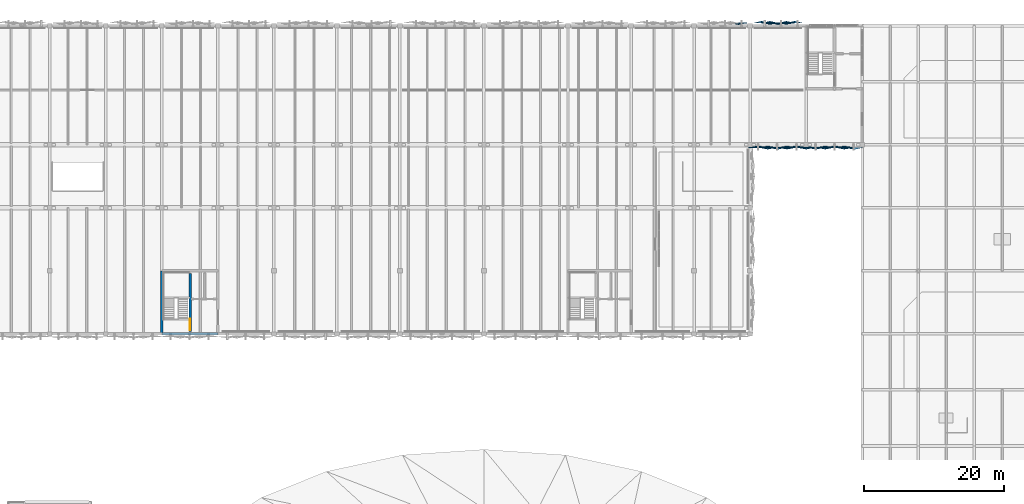
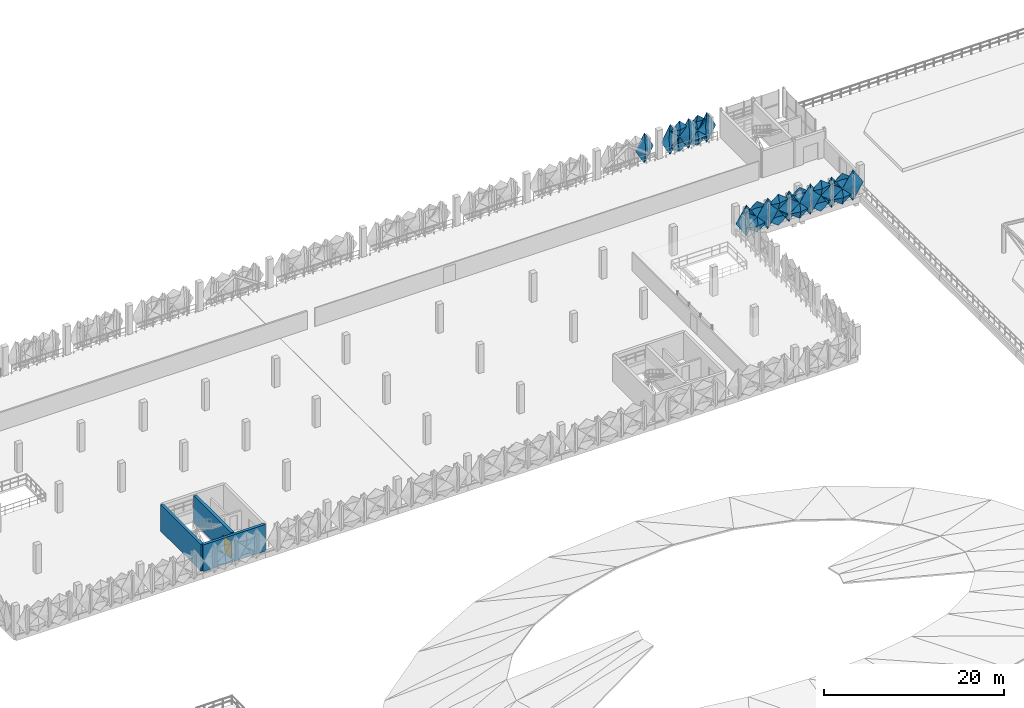
# One storey, part 27 of 52: 24 plates, 3 walls, 1 door, 1 opening.
"""IFC4 building model written with IfcOpenShell, lengths in metres."""

from ifc_helpers import new_model, si_unit, derived_unit, direction, frame, frame_2d, origin, place, context, subcontext, project, spatial, rectangle, extrude, polygons, material, layer, layer_set, type_object, element, fill, save


model = new_model("IFC4")

# Units and contexts
model_context = context("Model", 3, precision=1e-05, world=origin(), true_north=direction((0.0, 1.0)))
body_context = subcontext(model_context, "Body", "Model", "MODEL_VIEW")
ifc_project = project(units=[si_unit("LENGTHUNIT", "METRE"), si_unit("AREAUNIT", "SQUARE_METRE"), si_unit("VOLUMEUNIT", "CUBIC_METRE"), si_unit("PLANEANGLEUNIT", "RADIAN"), si_unit("MASSUNIT", "GRAM", prefix="KILO"), si_unit("THERMODYNAMICTEMPERATUREUNIT", "KELVIN"), derived_unit("THERMALTRANSMITTANCEUNIT", [(si_unit("POWERUNIT", "WATT"), 1), (si_unit("AREAUNIT", "SQUARE_METRE"), -1), (si_unit("THERMODYNAMICTEMPERATUREUNIT", "KELVIN"), -1)])], contexts=[model_context])

# Site, building, storey
site_placement = place(None, origin())
site = spatial("IfcSite", under=ifc_project, at=site_placement, CompositionType="ELEMENT")
building_placement = place(site_placement, origin())
building = spatial("IfcBuilding", under=site, at=building_placement, Name="Haiyu Intermodal Mobility Hub", CompositionType="ELEMENT")
storey_placement = place(building_placement, frame((0.0, 0.0, 21.199951171875)))
storey = spatial("IfcBuildingStorey", under=building, at=storey_placement, Name="L05", CompositionType="ELEMENT", Elevation=21.199951171875)

# Plates
ifc_material_1 = material(Name="Anodised aluminium 6063-T6", Category="aluminium")
ifc_layer_1 = layer(ifc_material_1, 0.01806640625)
ifc_layer_set_1 = layer_set([ifc_layer_1], Name="Anodised aluminium 6063-T6")
plate_type_1 = type_object("IfcPlateType", Name="PLT-FC01", PredefinedType="USERDEFINED", material=ifc_layer_set_1)
plate_1_placement = place(storey_placement, origin())
element("IfcPlate", 1, at=plate_1_placement, inside=storey, type_object=plate_type_1, Name="PLT-PYR-2444", ObjectType="FACADE CASSETTE", PredefinedType="USERDEFINED", context=body_context, shape_type="Tessellation", body=[
    polygons([(155.366943359375, 130.60009765625, -0.510009765625), (156.712890625, 130.60009765625, 1.60009765625), (155.366943359375, 130.60009765625, 3.7099609375), (154.02001953125, 130.60009765625, 1.60009765625), (155.366943359375, 130.320068359375, 1.60009765625), (155.366943359375, 130.6220703125, -0.510009765625), (156.712890625, 130.6220703125, 1.60009765625), (155.366943359375, 130.6220703125, 3.7099609375), (154.02001953125, 130.6220703125, 1.60009765625), (155.366943359375, 130.342041015625, 1.60009765625)], [[[1, 2, 5]], [[2, 3, 5]], [[3, 4, 5]], [[4, 1, 5]], [[7, 6, 10]], [[8, 7, 10]], [[9, 8, 10]], [[6, 9, 10]], [[1, 6, 7, 2]], [[2, 7, 8, 3]], [[3, 8, 9, 4]], [[4, 9, 6, 1]]], closed=True),
])
ifc_layer_2 = layer(ifc_material_1, 0.01806640625)
ifc_layer_set_2 = layer_set([ifc_layer_2], Name="Anodised aluminium 6063-T6")
plate_type_2 = type_object("IfcPlateType", Name="PLT-FC03", PredefinedType="USERDEFINED", material=ifc_layer_set_2)
plate_2_placement = place(storey_placement, origin())
element("IfcPlate", 2, at=plate_2_placement, inside=storey, type_object=plate_type_2, Name="PLT-PYR-0514", ObjectType="FACADE CASSETTE", PredefinedType="USERDEFINED", context=body_context, shape_type="Tessellation", body=[
    polygons([(152.346923828125, 148.39990234375, -0.510009765625), (151.193115234375, 148.39990234375, 1.60009765625), (152.346923828125, 148.39990234375, 3.7099609375), (153.5, 148.39990234375, 1.60009765625), (152.346923828125, 148.679931640625, 1.60009765625), (152.346923828125, 148.3779296875, -0.510009765625), (151.193115234375, 148.3779296875, 1.60009765625), (152.346923828125, 148.3779296875, 3.7099609375), (153.5, 148.3779296875, 1.60009765625), (152.346923828125, 148.657958984375, 1.60009765625)], [[[1, 2, 5]], [[2, 3, 5]], [[3, 4, 5]], [[4, 1, 5]], [[7, 6, 10]], [[8, 7, 10]], [[9, 8, 10]], [[6, 9, 10]], [[1, 6, 7, 2]], [[2, 7, 8, 3]], [[3, 8, 9, 4]], [[4, 9, 6, 1]]], closed=True),
])
plate_3_placement = place(storey_placement, origin())
element("IfcPlate", 3, at=plate_3_placement, inside=storey, type_object=plate_type_2, Name="PLT-PYR-0518", ObjectType="FACADE CASSETTE", PredefinedType="USERDEFINED", context=body_context, shape_type="Tessellation", body=[
    polygons([(148.826904296875, 148.39990234375, -0.52001953125), (147.673095703125, 148.39990234375, 0.530029296875), (148.826904296875, 148.39990234375, 1.580078125), (149.97998046875, 148.39990234375, 0.530029296875), (148.826904296875, 148.659912109375, 0.530029296875), (148.826904296875, 148.3779296875, -0.52001953125), (147.673095703125, 148.3779296875, 0.530029296875), (148.826904296875, 148.3779296875, 1.580078125), (149.97998046875, 148.3779296875, 0.530029296875), (148.826904296875, 148.637939453125, 0.530029296875)], [[[1, 2, 5]], [[2, 3, 5]], [[3, 4, 5]], [[4, 1, 5]], [[7, 6, 10]], [[8, 7, 10]], [[9, 8, 10]], [[6, 9, 10]], [[1, 6, 7, 2]], [[2, 7, 8, 3]], [[3, 8, 9, 4]], [[4, 9, 6, 1]]], closed=True),
])
plate_4_placement = place(storey_placement, origin())
element("IfcPlate", 4, at=plate_4_placement, inside=storey, type_object=plate_type_2, Name="PLT-PYR-2436", ObjectType="FACADE CASSETTE", PredefinedType="USERDEFINED", context=body_context, shape_type="Tessellation", body=[
    polygons([(148.532958984375, 130.60009765625, -0.52001953125), (149.8798828125, 130.60009765625, 0.530029296875), (148.532958984375, 130.60009765625, 1.580078125), (147.18701171875, 130.60009765625, 0.530029296875), (148.532958984375, 130.340087890625, 0.530029296875), (148.532958984375, 130.6220703125, -0.52001953125), (149.8798828125, 130.6220703125, 0.530029296875), (148.532958984375, 130.6220703125, 1.580078125), (147.18701171875, 130.6220703125, 0.530029296875), (148.532958984375, 130.362060546875, 0.530029296875)], [[[1, 2, 5]], [[2, 3, 5]], [[3, 4, 5]], [[4, 1, 5]], [[7, 6, 10]], [[8, 7, 10]], [[9, 8, 10]], [[6, 9, 10]], [[1, 6, 7, 2]], [[2, 7, 8, 3]], [[3, 8, 9, 4]], [[4, 9, 6, 1]]], closed=True),
])
plate_5_placement = place(storey_placement, origin())
element("IfcPlate", 5, at=plate_5_placement, inside=storey, type_object=plate_type_2, Name="PLT-PYR-2442", ObjectType="FACADE CASSETTE", PredefinedType="USERDEFINED", context=body_context, shape_type="Tessellation", body=[
    polygons([(154.0, 130.60009765625, -0.52001953125), (155.346923828125, 130.60009765625, 0.530029296875), (154.0, 130.60009765625, 1.580078125), (152.653076171875, 130.60009765625, 0.530029296875), (154.0, 130.340087890625, 0.530029296875), (154.0, 130.6220703125, -0.52001953125), (155.346923828125, 130.6220703125, 0.530029296875), (154.0, 130.6220703125, 1.580078125), (152.653076171875, 130.6220703125, 0.530029296875), (154.0, 130.362060546875, 0.530029296875)], [[[1, 2, 5]], [[2, 3, 5]], [[3, 4, 5]], [[4, 1, 5]], [[7, 6, 10]], [[8, 7, 10]], [[9, 8, 10]], [[6, 9, 10]], [[1, 6, 7, 2]], [[2, 7, 8, 3]], [[3, 8, 9, 4]], [[4, 9, 6, 1]]], closed=True),
])
plate_6_placement = place(storey_placement, origin())
element("IfcPlate", 6, at=plate_6_placement, inside=storey, type_object=plate_type_2, Name="PLT-PYR-2448", ObjectType="FACADE CASSETTE", PredefinedType="USERDEFINED", context=body_context, shape_type="Tessellation", body=[
    polygons([(159.467041015625, 130.60009765625, -0.52001953125), (160.81298828125, 130.60009765625, 0.530029296875), (159.467041015625, 130.60009765625, 1.580078125), (158.1201171875, 130.60009765625, 0.530029296875), (159.467041015625, 130.340087890625, 0.530029296875), (159.467041015625, 130.6220703125, -0.52001953125), (160.81298828125, 130.6220703125, 0.530029296875), (159.467041015625, 130.6220703125, 1.580078125), (158.1201171875, 130.6220703125, 0.530029296875), (159.467041015625, 130.362060546875, 0.530029296875)], [[[1, 2, 5]], [[2, 3, 5]], [[3, 4, 5]], [[4, 1, 5]], [[7, 6, 10]], [[8, 7, 10]], [[9, 8, 10]], [[6, 9, 10]], [[1, 6, 7, 2]], [[2, 7, 8, 3]], [[3, 8, 9, 4]], [[4, 9, 6, 1]]], closed=True),
])
ifc_layer_3 = layer(ifc_material_1, 0.02001953125)
ifc_layer_set_3 = layer_set([ifc_layer_3], Name="Anodised aluminium 6063-T6")
plate_type_3 = type_object("IfcPlateType", Name="PLT-FC04", PredefinedType="USERDEFINED", material=ifc_layer_set_3)
plate_7_placement = place(storey_placement, origin())
element("IfcPlate", 7, at=plate_7_placement, inside=storey, type_object=plate_type_3, Name="PLT-PYR-0479", ObjectType="FACADE CASSETTE", PredefinedType="USERDEFINED", context=body_context, shape_type="Tessellation", body=[
    polygons([(144.346923828125, 148.39990234375, -0.510009765625), (143.193115234375, 148.39990234375, 1.60009765625), (144.346923828125, 148.39990234375, 3.7099609375), (145.5, 148.39990234375, 1.60009765625), (144.346923828125, 148.139892578125, 1.60009765625), (144.346923828125, 148.3779296875, -0.510009765625), (143.193115234375, 148.3779296875, 1.60009765625), (144.346923828125, 148.3779296875, 3.7099609375), (145.5, 148.3779296875, 1.60009765625), (144.346923828125, 148.117919921875, 1.60009765625)], [[[1, 2, 5]], [[2, 3, 5]], [[3, 4, 5]], [[4, 1, 5]], [[7, 6, 10]], [[8, 7, 10]], [[9, 8, 10]], [[6, 9, 10]], [[1, 6, 7, 2]], [[2, 7, 8, 3]], [[3, 8, 9, 4]], [[4, 9, 6, 1]]], closed=True),
])
plate_8_placement = place(storey_placement, origin())
element("IfcPlate", 8, at=plate_8_placement, inside=storey, type_object=plate_type_3, Name="PLT-PYR-0515", ObjectType="FACADE CASSETTE", PredefinedType="USERDEFINED", context=body_context, shape_type="Tessellation", body=[
    polygons([(151.173095703125, 148.39990234375, -0.52001953125), (150.02001953125, 148.39990234375, 0.530029296875), (151.173095703125, 148.39990234375, 1.580078125), (152.326904296875, 148.39990234375, 0.530029296875), (151.173095703125, 148.179931640625, 0.530029296875), (151.173095703125, 148.3779296875, -0.52001953125), (150.02001953125, 148.3779296875, 0.530029296875), (151.173095703125, 148.3779296875, 1.580078125), (152.326904296875, 148.3779296875, 0.530029296875), (151.173095703125, 148.157958984375, 0.530029296875)], [[[1, 2, 5]], [[2, 3, 5]], [[3, 4, 5]], [[4, 1, 5]], [[7, 6, 10]], [[8, 7, 10]], [[9, 8, 10]], [[6, 9, 10]], [[1, 6, 7, 2]], [[2, 7, 8, 3]], [[3, 8, 9, 4]], [[4, 9, 6, 1]]], closed=True),
])
plate_9_placement = place(storey_placement, origin())
element("IfcPlate", 9, at=plate_9_placement, inside=storey, type_object=plate_type_3, Name="PLT-PYR-2435", ObjectType="FACADE CASSETTE", PredefinedType="USERDEFINED", context=body_context, shape_type="Tessellation", body=[
    polygons([(147.1669921875, 130.60009765625, -0.510009765625), (148.512939453125, 130.60009765625, 1.60009765625), (147.1669921875, 130.60009765625, 3.7099609375), (145.820068359375, 130.60009765625, 1.60009765625), (147.1669921875, 130.860107421875, 1.60009765625), (147.1669921875, 130.6220703125, -0.510009765625), (148.512939453125, 130.6220703125, 1.60009765625), (147.1669921875, 130.6220703125, 3.7099609375), (145.820068359375, 130.6220703125, 1.60009765625), (147.1669921875, 130.882080078125, 1.60009765625)], [[[1, 2, 5]], [[2, 3, 5]], [[3, 4, 5]], [[4, 1, 5]], [[7, 6, 10]], [[8, 7, 10]], [[9, 8, 10]], [[6, 9, 10]], [[1, 6, 7, 2]], [[2, 7, 8, 3]], [[3, 8, 9, 4]], [[4, 9, 6, 1]]], closed=True),
])
plate_10_placement = place(storey_placement, origin())
element("IfcPlate", 10, at=plate_10_placement, inside=storey, type_object=plate_type_3, Name="PLT-PYR-2439", ObjectType="FACADE CASSETTE", PredefinedType="USERDEFINED", context=body_context, shape_type="Tessellation", body=[
    polygons([(151.26708984375, 130.60009765625, -0.52001953125), (152.613037109375, 130.60009765625, 0.530029296875), (151.26708984375, 130.60009765625, 1.580078125), (149.919921875, 130.60009765625, 0.530029296875), (151.26708984375, 130.820068359375, 0.530029296875), (151.26708984375, 130.6220703125, -0.52001953125), (152.613037109375, 130.6220703125, 0.530029296875), (151.26708984375, 130.6220703125, 1.580078125), (149.919921875, 130.6220703125, 0.530029296875), (151.26708984375, 130.842041015625, 0.530029296875)], [[[1, 2, 5]], [[2, 3, 5]], [[3, 4, 5]], [[4, 1, 5]], [[7, 6, 10]], [[8, 7, 10]], [[9, 8, 10]], [[6, 9, 10]], [[1, 6, 7, 2]], [[2, 7, 8, 3]], [[3, 8, 9, 4]], [[4, 9, 6, 1]]], closed=True),
])
plate_11_placement = place(storey_placement, origin())
element("IfcPlate", 11, at=plate_11_placement, inside=storey, type_object=plate_type_3, Name="PLT-PYR-2445", ObjectType="FACADE CASSETTE", PredefinedType="USERDEFINED", context=body_context, shape_type="Tessellation", body=[
    polygons([(156.73291015625, 130.60009765625, -0.52001953125), (158.080078125, 130.60009765625, 0.530029296875), (156.73291015625, 130.60009765625, 1.580078125), (155.386962890625, 130.60009765625, 0.530029296875), (156.73291015625, 130.820068359375, 0.530029296875), (156.73291015625, 130.6220703125, -0.52001953125), (158.080078125, 130.6220703125, 0.530029296875), (156.73291015625, 130.6220703125, 1.580078125), (155.386962890625, 130.6220703125, 0.530029296875), (156.73291015625, 130.842041015625, 0.530029296875)], [[[1, 2, 5]], [[2, 3, 5]], [[3, 4, 5]], [[4, 1, 5]], [[7, 6, 10]], [[8, 7, 10]], [[9, 8, 10]], [[6, 9, 10]], [[1, 6, 7, 2]], [[2, 7, 8, 3]], [[3, 8, 9, 4]], [[4, 9, 6, 1]]], closed=True),
])
plate_12_placement = place(storey_placement, origin())
element("IfcPlate", 12, at=plate_12_placement, inside=storey, type_object=plate_type_3, Name="PLT-PYR-2447", ObjectType="FACADE CASSETTE", PredefinedType="USERDEFINED", context=body_context, shape_type="Tessellation", body=[
    polygons([(158.10009765625, 130.60009765625, -0.510009765625), (159.447021484375, 130.60009765625, 1.60009765625), (158.10009765625, 130.60009765625, 3.7099609375), (156.7529296875, 130.60009765625, 1.60009765625), (158.10009765625, 130.860107421875, 1.60009765625), (158.10009765625, 130.6220703125, -0.510009765625), (159.447021484375, 130.6220703125, 1.60009765625), (158.10009765625, 130.6220703125, 3.7099609375), (156.7529296875, 130.6220703125, 1.60009765625), (158.10009765625, 130.882080078125, 1.60009765625)], [[[1, 2, 5]], [[2, 3, 5]], [[3, 4, 5]], [[4, 1, 5]], [[7, 6, 10]], [[8, 7, 10]], [[9, 8, 10]], [[6, 9, 10]], [[1, 6, 7, 2]], [[2, 7, 8, 3]], [[3, 8, 9, 4]], [[4, 9, 6, 1]]], closed=True),
])
ifc_layer_4 = layer(ifc_material_1, 0.01806640625)
ifc_layer_set_4 = layer_set([ifc_layer_4], Name="Anodised aluminium 6063-T6")
plate_type_4 = type_object("IfcPlateType", Name="PLT-FC05", PredefinedType="USERDEFINED", material=ifc_layer_set_4)
plate_13_placement = place(storey_placement, origin())
element("IfcPlate", 13, at=plate_13_placement, inside=storey, type_object=plate_type_4, Name="PLT-PYR-0516", ObjectType="FACADE CASSETTE", PredefinedType="USERDEFINED", context=body_context, shape_type="Tessellation", body=[
    polygons([(151.173095703125, 148.39990234375, 1.6201171875), (150.02001953125, 148.39990234375, 2.670166015625), (151.173095703125, 148.39990234375, 3.719970703125), (152.326904296875, 148.39990234375, 2.670166015625), (151.173095703125, 148.659912109375, 2.670166015625), (151.173095703125, 148.3779296875, 1.6201171875), (150.02001953125, 148.3779296875, 2.670166015625), (151.173095703125, 148.3779296875, 3.719970703125), (152.326904296875, 148.3779296875, 2.670166015625), (151.173095703125, 148.637939453125, 2.670166015625)], [[[1, 2, 5]], [[2, 3, 5]], [[3, 4, 5]], [[4, 1, 5]], [[7, 6, 10]], [[8, 7, 10]], [[9, 8, 10]], [[6, 9, 10]], [[1, 6, 7, 2]], [[2, 7, 8, 3]], [[3, 8, 9, 4]], [[4, 9, 6, 1]]], closed=True),
])
plate_14_placement = place(storey_placement, origin())
element("IfcPlate", 14, at=plate_14_placement, inside=storey, type_object=plate_type_4, Name="PLT-PYR-2438", ObjectType="FACADE CASSETTE", PredefinedType="USERDEFINED", context=body_context, shape_type="Tessellation", body=[
    polygons([(149.89990234375, 130.60009765625, -0.510009765625), (151.2470703125, 130.60009765625, 1.60009765625), (149.89990234375, 130.60009765625, 3.7099609375), (148.552978515625, 130.60009765625, 1.60009765625), (149.89990234375, 130.320068359375, 1.60009765625), (149.89990234375, 130.6220703125, -0.510009765625), (151.2470703125, 130.6220703125, 1.60009765625), (149.89990234375, 130.6220703125, 3.7099609375), (148.552978515625, 130.6220703125, 1.60009765625), (149.89990234375, 130.342041015625, 1.60009765625)], [[[1, 2, 5]], [[2, 3, 5]], [[3, 4, 5]], [[4, 1, 5]], [[7, 6, 10]], [[8, 7, 10]], [[9, 8, 10]], [[6, 9, 10]], [[1, 6, 7, 2]], [[2, 7, 8, 3]], [[3, 8, 9, 4]], [[4, 9, 6, 1]]], closed=True),
])
plate_15_placement = place(storey_placement, origin())
element("IfcPlate", 15, at=plate_15_placement, inside=storey, type_object=plate_type_4, Name="PLT-PYR-2440", ObjectType="FACADE CASSETTE", PredefinedType="USERDEFINED", context=body_context, shape_type="Tessellation", body=[
    polygons([(151.26708984375, 130.60009765625, 1.6201171875), (152.613037109375, 130.60009765625, 2.670166015625), (151.26708984375, 130.60009765625, 3.719970703125), (149.919921875, 130.60009765625, 2.670166015625), (151.26708984375, 130.340087890625, 2.670166015625), (151.26708984375, 130.6220703125, 1.6201171875), (152.613037109375, 130.6220703125, 2.670166015625), (151.26708984375, 130.6220703125, 3.719970703125), (149.919921875, 130.6220703125, 2.670166015625), (151.26708984375, 130.362060546875, 2.670166015625)], [[[1, 2, 5]], [[2, 3, 5]], [[3, 4, 5]], [[4, 1, 5]], [[7, 6, 10]], [[8, 7, 10]], [[9, 8, 10]], [[6, 9, 10]], [[1, 6, 7, 2]], [[2, 7, 8, 3]], [[3, 8, 9, 4]], [[4, 9, 6, 1]]], closed=True),
])
plate_16_placement = place(storey_placement, origin())
element("IfcPlate", 16, at=plate_16_placement, inside=storey, type_object=plate_type_4, Name="PLT-PYR-2446", ObjectType="FACADE CASSETTE", PredefinedType="USERDEFINED", context=body_context, shape_type="Tessellation", body=[
    polygons([(156.73291015625, 130.60009765625, 1.6201171875), (158.080078125, 130.60009765625, 2.670166015625), (156.73291015625, 130.60009765625, 3.719970703125), (155.386962890625, 130.60009765625, 2.670166015625), (156.73291015625, 130.340087890625, 2.670166015625), (156.73291015625, 130.6220703125, 1.6201171875), (158.080078125, 130.6220703125, 2.670166015625), (156.73291015625, 130.6220703125, 3.719970703125), (155.386962890625, 130.6220703125, 2.670166015625), (156.73291015625, 130.362060546875, 2.670166015625)], [[[1, 2, 5]], [[2, 3, 5]], [[3, 4, 5]], [[4, 1, 5]], [[7, 6, 10]], [[8, 7, 10]], [[9, 8, 10]], [[6, 9, 10]], [[1, 6, 7, 2]], [[2, 7, 8, 3]], [[3, 8, 9, 4]], [[4, 9, 6, 1]]], closed=True),
])
plate_17_placement = place(storey_placement, origin())
element("IfcPlate", 17, at=plate_17_placement, inside=storey, type_object=plate_type_4, Name="PLT-PYR-2450", ObjectType="FACADE CASSETTE", PredefinedType="USERDEFINED", context=body_context, shape_type="Tessellation", body=[
    polygons([(160.8330078125, 130.60009765625, -0.510009765625), (162.179931640625, 130.60009765625, 1.60009765625), (160.8330078125, 130.60009765625, 3.7099609375), (159.487060546875, 130.60009765625, 1.60009765625), (160.8330078125, 130.320068359375, 1.60009765625), (160.8330078125, 130.6220703125, -0.510009765625), (162.179931640625, 130.6220703125, 1.60009765625), (160.8330078125, 130.6220703125, 3.7099609375), (159.487060546875, 130.6220703125, 1.60009765625), (160.8330078125, 130.342041015625, 1.60009765625)], [[[1, 2, 5]], [[2, 3, 5]], [[3, 4, 5]], [[4, 1, 5]], [[7, 6, 10]], [[8, 7, 10]], [[9, 8, 10]], [[6, 9, 10]], [[1, 6, 7, 2]], [[2, 7, 8, 3]], [[3, 8, 9, 4]], [[4, 9, 6, 1]]], closed=True),
])
ifc_layer_5 = layer(ifc_material_1, 0.02001953125)
ifc_layer_set_5 = layer_set([ifc_layer_5], Name="Anodised aluminium 6063-T6")
plate_type_5 = type_object("IfcPlateType", Name="PLT-FC06", PredefinedType="USERDEFINED", material=ifc_layer_set_5)
plate_18_placement = place(storey_placement, origin())
element("IfcPlate", 18, at=plate_18_placement, inside=storey, type_object=plate_type_5, Name="PLT-PYR-0517", ObjectType="FACADE CASSETTE", PredefinedType="USERDEFINED", context=body_context, shape_type="Tessellation", body=[
    polygons([(150.0, 148.39990234375, -0.510009765625), (148.846923828125, 148.39990234375, 1.60009765625), (150.0, 148.39990234375, 3.7099609375), (151.153076171875, 148.39990234375, 1.60009765625), (150.0, 148.139892578125, 1.60009765625), (150.0, 148.3779296875, -0.510009765625), (148.846923828125, 148.3779296875, 1.60009765625), (150.0, 148.3779296875, 3.7099609375), (151.153076171875, 148.3779296875, 1.60009765625), (150.0, 148.117919921875, 1.60009765625)], [[[1, 2, 5]], [[2, 3, 5]], [[3, 4, 5]], [[4, 1, 5]], [[7, 6, 10]], [[8, 7, 10]], [[9, 8, 10]], [[6, 9, 10]], [[1, 6, 7, 2]], [[2, 7, 8, 3]], [[3, 8, 9, 4]], [[4, 9, 6, 1]]], closed=True),
])
plate_19_placement = place(storey_placement, origin())
element("IfcPlate", 19, at=plate_19_placement, inside=storey, type_object=plate_type_5, Name="PLT-PYR-0519", ObjectType="FACADE CASSETTE", PredefinedType="USERDEFINED", context=body_context, shape_type="Tessellation", body=[
    polygons([(148.826904296875, 148.39990234375, 1.6201171875), (147.673095703125, 148.39990234375, 2.670166015625), (148.826904296875, 148.39990234375, 3.719970703125), (149.97998046875, 148.39990234375, 2.670166015625), (148.826904296875, 148.179931640625, 2.670166015625), (148.826904296875, 148.3779296875, 1.6201171875), (147.673095703125, 148.3779296875, 2.670166015625), (148.826904296875, 148.3779296875, 3.719970703125), (149.97998046875, 148.3779296875, 2.670166015625), (148.826904296875, 148.157958984375, 2.670166015625)], [[[1, 2, 5]], [[2, 3, 5]], [[3, 4, 5]], [[4, 1, 5]], [[7, 6, 10]], [[8, 7, 10]], [[9, 8, 10]], [[6, 9, 10]], [[1, 6, 7, 2]], [[2, 7, 8, 3]], [[3, 8, 9, 4]], [[4, 9, 6, 1]]], closed=True),
])
plate_20_placement = place(storey_placement, origin())
element("IfcPlate", 20, at=plate_20_placement, inside=storey, type_object=plate_type_5, Name="PLT-PYR-2437", ObjectType="FACADE CASSETTE", PredefinedType="USERDEFINED", context=body_context, shape_type="Tessellation", body=[
    polygons([(148.532958984375, 130.60009765625, 1.6201171875), (149.8798828125, 130.60009765625, 2.670166015625), (148.532958984375, 130.60009765625, 3.719970703125), (147.18701171875, 130.60009765625, 2.670166015625), (148.532958984375, 130.820068359375, 2.670166015625), (148.532958984375, 130.6220703125, 1.6201171875), (149.8798828125, 130.6220703125, 2.670166015625), (148.532958984375, 130.6220703125, 3.719970703125), (147.18701171875, 130.6220703125, 2.670166015625), (148.532958984375, 130.842041015625, 2.670166015625)], [[[1, 2, 5]], [[2, 3, 5]], [[3, 4, 5]], [[4, 1, 5]], [[7, 6, 10]], [[8, 7, 10]], [[9, 8, 10]], [[6, 9, 10]], [[1, 6, 7, 2]], [[2, 7, 8, 3]], [[3, 8, 9, 4]], [[4, 9, 6, 1]]], closed=True),
])
plate_21_placement = place(storey_placement, origin())
element("IfcPlate", 21, at=plate_21_placement, inside=storey, type_object=plate_type_5, Name="PLT-PYR-2443", ObjectType="FACADE CASSETTE", PredefinedType="USERDEFINED", context=body_context, shape_type="Tessellation", body=[
    polygons([(154.0, 130.60009765625, 1.6201171875), (155.346923828125, 130.60009765625, 2.670166015625), (154.0, 130.60009765625, 3.719970703125), (152.653076171875, 130.60009765625, 2.670166015625), (154.0, 130.820068359375, 2.670166015625), (154.0, 130.6220703125, 1.6201171875), (155.346923828125, 130.6220703125, 2.670166015625), (154.0, 130.6220703125, 3.719970703125), (152.653076171875, 130.6220703125, 2.670166015625), (154.0, 130.842041015625, 2.670166015625)], [[[1, 2, 5]], [[2, 3, 5]], [[3, 4, 5]], [[4, 1, 5]], [[7, 6, 10]], [[8, 7, 10]], [[9, 8, 10]], [[6, 9, 10]], [[1, 6, 7, 2]], [[2, 7, 8, 3]], [[3, 8, 9, 4]], [[4, 9, 6, 1]]], closed=True),
])
plate_22_placement = place(storey_placement, origin())
element("IfcPlate", 22, at=plate_22_placement, inside=storey, type_object=plate_type_5, Name="PLT-PYR-2449", ObjectType="FACADE CASSETTE", PredefinedType="USERDEFINED", context=body_context, shape_type="Tessellation", body=[
    polygons([(159.467041015625, 130.60009765625, 1.6201171875), (160.81298828125, 130.60009765625, 2.670166015625), (159.467041015625, 130.60009765625, 3.719970703125), (158.1201171875, 130.60009765625, 2.670166015625), (159.467041015625, 130.820068359375, 2.670166015625), (159.467041015625, 130.6220703125, 1.6201171875), (160.81298828125, 130.6220703125, 2.670166015625), (159.467041015625, 130.6220703125, 3.719970703125), (158.1201171875, 130.6220703125, 2.670166015625), (159.467041015625, 130.842041015625, 2.670166015625)], [[[1, 2, 5]], [[2, 3, 5]], [[3, 4, 5]], [[4, 1, 5]], [[7, 6, 10]], [[8, 7, 10]], [[9, 8, 10]], [[6, 9, 10]], [[1, 6, 7, 2]], [[2, 7, 8, 3]], [[3, 8, 9, 4]], [[4, 9, 6, 1]]], closed=True),
])
ifc_layer_6 = layer(ifc_material_1, 0.02197265625)
ifc_layer_set_6 = layer_set([ifc_layer_6], Name="Anodised aluminium 6063-T6")
plate_type_6 = type_object("IfcPlateType", Name="PLT-FC07", PredefinedType="USERDEFINED", material=ifc_layer_set_6)
plate_23_placement = place(storey_placement, origin())
element("IfcPlate", 23, at=plate_23_placement, inside=storey, type_object=plate_type_6, Name="PLT-PYR-0520", ObjectType="FACADE CASSETTE", PredefinedType="USERDEFINED", context=body_context, shape_type="Tessellation", body=[
    polygons([(147.653076171875, 148.39990234375, -0.510009765625), (146.5, 148.39990234375, 1.60009765625), (147.653076171875, 148.39990234375, 3.7099609375), (148.806884765625, 148.39990234375, 1.60009765625), (147.653076171875, 148.679931640625, 1.60009765625), (147.653076171875, 148.3779296875, -0.510009765625), (146.5, 148.3779296875, 1.60009765625), (147.653076171875, 148.3779296875, 3.7099609375), (148.806884765625, 148.3779296875, 1.60009765625), (147.653076171875, 148.657958984375, 1.60009765625)], [[[1, 2, 5]], [[2, 3, 5]], [[3, 4, 5]], [[4, 1, 5]], [[7, 6, 10]], [[8, 7, 10]], [[9, 8, 10]], [[6, 9, 10]], [[1, 6, 7, 2]], [[2, 7, 8, 3]], [[3, 8, 9, 4]], [[4, 9, 6, 1]]], closed=True),
])
ifc_layer_7 = layer(ifc_material_1, 0.02392578125)
ifc_layer_set_7 = layer_set([ifc_layer_7], Name="Anodised aluminium 6063-T6")
plate_type_7 = type_object("IfcPlateType", Name="PLT-FC08", PredefinedType="USERDEFINED", material=ifc_layer_set_7)
plate_24_placement = place(storey_placement, origin())
element("IfcPlate", 24, at=plate_24_placement, inside=storey, type_object=plate_type_7, Name="PLT-PYR-2441", ObjectType="FACADE CASSETTE", PredefinedType="USERDEFINED", context=body_context, shape_type="Tessellation", body=[
    polygons([(152.633056640625, 130.60009765625, -0.510009765625), (153.97998046875, 130.60009765625, 1.60009765625), (152.633056640625, 130.60009765625, 3.7099609375), (151.287109375, 130.60009765625, 1.60009765625), (152.633056640625, 130.860107421875, 1.60009765625), (152.633056640625, 130.6220703125, -0.510009765625), (153.97998046875, 130.6220703125, 1.60009765625), (152.633056640625, 130.6220703125, 3.7099609375), (151.287109375, 130.6220703125, 1.60009765625), (152.633056640625, 130.882080078125, 1.60009765625)], [[[1, 2, 5]], [[2, 3, 5]], [[3, 4, 5]], [[4, 1, 5]], [[7, 6, 10]], [[8, 7, 10]], [[9, 8, 10]], [[6, 9, 10]], [[1, 6, 7, 2]], [[2, 7, 8, 3]], [[3, 8, 9, 4]], [[4, 9, 6, 1]]], closed=True),
])

# Walls
ifc_material_2 = material(Name="Concrete C40", Category="concrete")
ifc_layer_8 = layer(ifc_material_2, 0.35009765625)
ifc_layer_set_8 = layer_set([ifc_layer_8], Name="Concrete C40")
wall_type_1 = type_object("IfcWallType", Name="WAL-WS02", PredefinedType="SHEAR", material=ifc_layer_set_8)
wall_1_placement = place(storey_placement, frame((62.0, 104.0, 0.0), z_axis=(0.0, 0.0, 1.0), x_axis=(1.0, 0.0, 0.0)))
element("IfcWall", 25, at=wall_1_placement, inside=storey, type_object=wall_type_1, Name="WAL-CORE-C5-S-L05", PredefinedType="SHEAR", context=body_context, shape_type="SweptSolid", body=[
    extrude(rectangle(XDim=8.0, YDim=0.35009765625, at=frame_2d((4.0, 0.0))), origin(), (0.0, 0.0, 1.0), 3.6201171875),
])
wall_2_placement = place(storey_placement, frame((62.0, 113.0, 0.0), z_axis=(0.0, 0.0, 1.0), x_axis=(0.0, -1.0, 0.0)))
element("IfcWall", 26, at=wall_2_placement, inside=storey, type_object=wall_type_1, Name="WAL-CORE-C5-W-L05", PredefinedType="SHEAR", context=body_context, shape_type="SweptSolid", body=[
    extrude(rectangle(XDim=9.0, YDim=0.35009765625, at=frame_2d((4.5, 0.0))), origin(), (0.0, 0.0, 1.0), 3.6201171875),
])

# Wall, opening, door
ifc_layer_9 = layer(ifc_material_2, 0.3798828125)
ifc_layer_set_9 = layer_set([ifc_layer_9], Name="Concrete C40")
wall_type_2 = type_object("IfcWallType", Name="WAL-WS03", PredefinedType="SHEAR", material=ifc_layer_set_9)
wall_3_placement = place(storey_placement, frame((66.050048828125, 104.35009765625, 0.0), z_axis=(0.0, 0.0, 1.0), x_axis=(0.0, 1.0, 0.0)))
wall_3 = element("IfcWall", 27, at=wall_3_placement, inside=storey, type_object=wall_type_2, Name="WAL-CORE-C5-MID-L05", PredefinedType="SHEAR", context=body_context, shape_type="SweptSolid", body=[
    extrude(rectangle(XDim=8.2998046875, YDim=0.3798828125, at=frame_2d((4.14990234375, 0.0))), origin(), (0.0, 0.0, 1.0), 3.6201171875),
])
opening_placement = place(wall_3_placement, frame((0.179931640625, 0.0, 0.0)))
opening = element("IfcOpeningElement", 28, at=opening_placement, cuts=wall_3, Name="Opening DI02", PredefinedType="OPENING", context=body_context, shape_type="SweptSolid", body=[
    extrude(rectangle(XDim=1.64990234375, YDim=2.199951171875, at=frame_2d((0.824951171875, 1.10009765625))), frame((0.0, 0.199951171875, 0.0), z_axis=(0.0, -1.0, 0.0), x_axis=(1.0, 0.0, 0.0)), (0.0, 0.0, 1.0), 0.39990234375),
])
ifc_material_3 = material(Name="Steel Q355C", Category="steel")
door_type = type_object("IfcDoorType", Name="DR-DI02", OperationType="DOUBLE_DOOR_SINGLE_SWING", PredefinedType="DOOR", material=ifc_material_3)
door_placement = place(opening_placement, origin())
door = element("IfcDoor", 29, at=door_placement, inside=storey, type_object=door_type, Name="Stair ST01 Fire Door L05", OperationType="SINGLE_SWING_RIGHT", OverallHeight=2.199951171875, OverallWidth=1.64990234375, PredefinedType="DOOR", context=body_context, shape_type="SweptSolid", body=[
    extrude(rectangle(XDim=1.64990234375, YDim=2.199951171875, at=frame_2d((0.824951171875, 1.10009765625))), frame((0.0, 0.02490234375, 0.0), z_axis=(0.0, -1.0, 0.0), x_axis=(1.0, 0.0, 0.0)), (0.0, 0.0, 1.0), 0.050048828125),
])
fill(opening, door)

save(model, "model.ifc")
